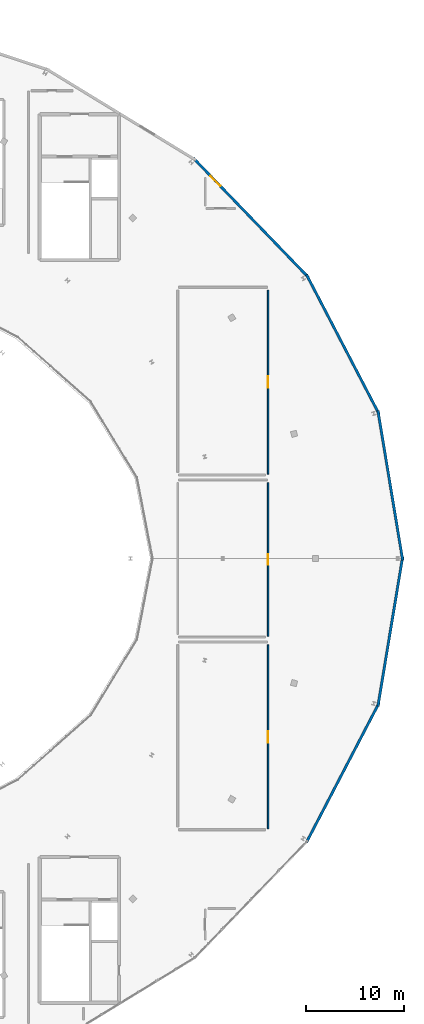
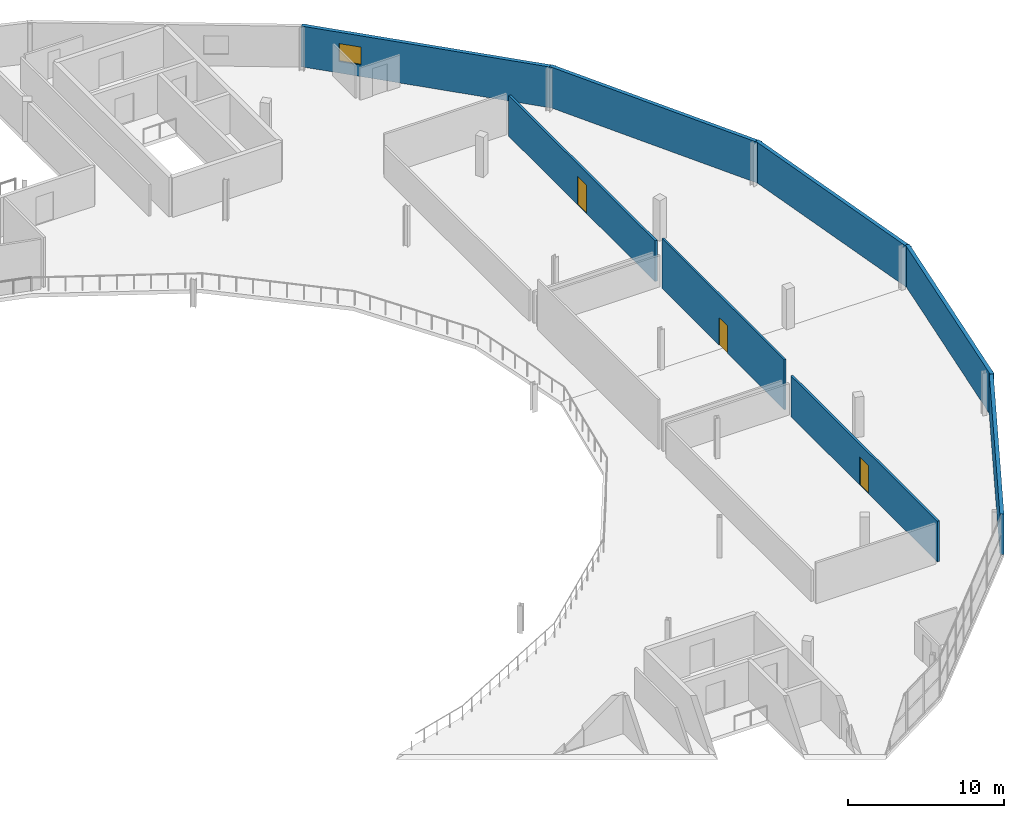
# One storey, part 33 of 35: 8 walls, 3 doors, 1 window, 4 openings.
"""IFC4 building model written with IfcOpenShell, lengths in metres."""

from ifc_helpers import new_model, si_unit, direction, frame, frame_2d, origin, place, context, subcontext, project, spatial, rectangle, extrude, material, layer, layer_set, type_object, element, fill, save


model = new_model("IFC4")

# Units and contexts
model_context = context("Model", 3, precision=1e-05, world=origin(), true_north=direction((0.0, 1.0)))
body_context = subcontext(model_context, "Body", "Model", "MODEL_VIEW")
ifc_project = project(units=[si_unit("LENGTHUNIT", "METRE"), si_unit("AREAUNIT", "SQUARE_METRE"), si_unit("VOLUMEUNIT", "CUBIC_METRE"), si_unit("PLANEANGLEUNIT", "RADIAN"), si_unit("MASSUNIT", "GRAM", prefix="KILO")], contexts=[model_context])

# Site, building, storey
site_placement = place(None, origin())
site = spatial("IfcSite", under=ifc_project, at=site_placement, CompositionType="ELEMENT")
building_placement = place(site_placement, origin())
building = spatial("IfcBuilding", under=site, at=building_placement, Name="Kalgoora Escarpment Arena", CompositionType="ELEMENT")
storey_placement = place(building_placement, frame((0.0, 0.0, 23.39990234375)))
storey = spatial("IfcBuildingStorey", under=building, at=storey_placement, Name="L05", CompositionType="ELEMENT", Elevation=23.39990234375)

# Wall, opening, window
ifc_material_1 = material(Name="Media ring insulated acoustic facade wall 40 MPa", Category="concrete")
ifc_layer_1 = layer(ifc_material_1, 0.264892578125)
ifc_layer_set_1 = layer_set([ifc_layer_1], Name="WAL-EXT-265")
wall_type_1 = type_object("IfcWallType", Name="WAL-EXT-265", PredefinedType="SOLIDWALL", material=ifc_layer_set_1)
wall_1_placement = place(storey_placement, frame((143.392333984375, 104.748046875, 0.0), z_axis=(0.0, 0.0, 1.0), x_axis=(0.694213985366, -0.719768672924, 0.0)))
wall_1 = element("IfcWall", 1, at=wall_1_placement, inside=storey, type_object=wall_type_1, Name="L05 limestone-faced external wall 100", PredefinedType="SOLIDWALL", context=body_context, shape_type="SweptSolid", body=[
    extrude(rectangle(XDim=16.88134765625, YDim=0.264892578125, at=frame_2d((8.440673828125, 0.0))), origin(), (0.0, 0.0, 1.0), 3.18017578125),
])
opening_1_placement = place(wall_1_placement, frame((2.52490234375, 0.0, 0.89990234375)))
opening_1 = element("IfcOpeningElement", 2, at=opening_1_placement, cuts=wall_1, Name="Opening W-20", PredefinedType="OPENING", context=body_context, shape_type="SweptSolid", body=[
    extrude(rectangle(XDim=1.449951171875, YDim=1.39990234375, at=frame_2d((0.72509765625, 0.699951171875))), frame((0.0, 0.142333984375, 0.0), z_axis=(0.0, -1.0, 0.0), x_axis=(1.0, 0.0, 0.0)), (0.0, 0.0, 1.0), 0.284912109375),
])
ifc_material_2 = material(Name="Low-E solar-control double glazing in champagne frame", Category="glass")
window_type = type_object("IfcWindowType", Name="WIN-BOH-1450x1400", PartitioningType="SINGLE_PANEL", PredefinedType="WINDOW", material=ifc_material_2)
window_placement = place(opening_1_placement, origin())
window = element("IfcWindow", 3, at=window_placement, inside=storey, type_object=window_type, Name="L05 scheduled facade window 160", OverallHeight=1.39990234375, OverallWidth=1.449951171875, PartitioningType="SINGLE_PANEL", PredefinedType="WINDOW", context=body_context, shape_type="SweptSolid", body=[
    extrude(rectangle(XDim=1.449951171875, YDim=1.39990234375, at=frame_2d((0.72509765625, 0.699951171875))), frame((0.0, 0.030029296875, 0.0), z_axis=(0.0, -1.0, 0.0), x_axis=(1.0, 0.0, 0.0)), (0.0, 0.0, 1.0), 0.06005859375),
])
fill(opening_1, window)

# Walls
wall_2_placement = place(storey_placement, frame((154.91162109375, 92.875, 0.0), z_axis=(0.0, 0.0, 1.0), x_axis=(0.461817664979, -0.886974883699, 0.0)))
element("IfcWall", 4, at=wall_2_placement, inside=storey, type_object=wall_type_1, Name="L05 limestone-faced external wall 101", PredefinedType="SOLIDWALL", context=body_context, shape_type="SweptSolid", body=[
    extrude(rectangle(XDim=15.969482421875, YDim=0.264892578125, at=frame_2d((7.98486328125, 0.0))), origin(), (0.0, 0.0, 1.0), 3.18017578125),
])
for number, where, z_axis, x_axis, name in (
    (5, (162.17724609375, 79.0380859375, 0.0), (0.0, 0.0, 1.0), (0.163253657255, -0.986584128898, 0.0), "L05 limestone-faced external wall 102"),
    (6, (164.6943359375, 64.17333984375, 0.0), (0.0, 0.0, 1.0), (-0.163253657255, -0.986584128898, 0.0), "L05 limestone-faced external wall 103"),
):
    element("IfcWall", number, at=place(storey_placement, frame(where, z_axis=z_axis, x_axis=x_axis)), inside=storey, type_object=wall_type_1, Name=name, PredefinedType="SOLIDWALL", context=body_context, shape_type="SweptSolid", body=[
        extrude(rectangle(XDim=15.418212890625, YDim=0.264892578125, at=frame_2d((7.708984375, 0.0))), origin(), (0.0, 0.0, 1.0), 3.18017578125),
    ])
wall_3_placement = place(storey_placement, frame((162.28662109375, 49.28955078125, 0.0), z_axis=(0.0, 0.0, 1.0), x_axis=(-0.461817664979, -0.886974883699, 0.0)))
element("IfcWall", 7, at=wall_3_placement, inside=storey, type_object=wall_type_1, Name="L05 limestone-faced external wall 104", PredefinedType="SOLIDWALL", context=body_context, shape_type="SweptSolid", body=[
    extrude(rectangle(XDim=15.969482421875, YDim=0.264892578125, at=frame_2d((7.98486328125, 0.0))), origin(), (0.0, 0.0, 1.0), 3.18017578125),
])

# Wall, opening, door
ifc_material_3 = material(Name="Broadcast acoustic double-stud partition", Category="gypsum")
ifc_layer_2 = layer(ifc_material_3, 0.1650390625)
ifc_layer_set_2 = layer_set([ifc_layer_2], Name="WAL-MED-165")
wall_type_2 = type_object("IfcWallType", Name="WAL-MED-165", PredefinedType="PARTITIONING", material=ifc_layer_set_2)
wall_4_placement = place(storey_placement, frame((151.0, 91.315185546875, 0.0), z_axis=(0.0, 0.0, 1.0), x_axis=(0.0, -1.0, 0.0)))
wall_4 = element("IfcWall", 8, at=wall_4_placement, inside=storey, type_object=wall_type_2, Name="L05 Radio Press Tribune Lounge partition wall", PredefinedType="PARTITIONING", context=body_context, shape_type="SweptSolid", body=[
    extrude(rectangle(XDim=18.735107421875, YDim=0.1650390625, at=frame_2d((9.36767578125, 0.0))), origin(), (0.0, 0.0, 1.0), 3.18017578125),
])
opening_2_placement = place(wall_4_placement, frame((8.79248046875, 0.0, 0.0)))
opening_2 = element("IfcOpeningElement", 9, at=opening_2_placement, cuts=wall_4, Name="Opening FD-I156", PredefinedType="OPENING", context=body_context, shape_type="SweptSolid", body=[
    extrude(rectangle(XDim=1.14990234375, YDim=2.199951171875, at=frame_2d((0.574951171875, 1.10009765625))), frame((0.0, 0.092529296875, 0.0), z_axis=(0.0, -1.0, 0.0), x_axis=(1.0, 0.0, 0.0)), (0.0, 0.0, 1.0), 0.18505859375),
])
ifc_material_4 = material(Name="Acoustic seal commentary suite leaf")
door_type_1 = type_object("IfcDoorType", Name="DR-MED-1150", OperationType="NOTDEFINED", PredefinedType="DOOR", material=ifc_material_4)
door_1_placement = place(opening_2_placement, origin())
door_1 = element("IfcDoor", 10, at=door_1_placement, inside=storey, type_object=door_type_1, Name="Radio Press Tribune Lounge entrance door", OperationType="SINGLE_SWING_RIGHT", OverallHeight=2.199951171875, OverallWidth=1.14990234375, PredefinedType="DOOR", context=body_context, shape_type="SweptSolid", body=[
    extrude(rectangle(XDim=1.14990234375, YDim=2.199951171875, at=frame_2d((0.574951171875, 1.10009765625))), frame((0.0, 0.02490234375, 0.0), z_axis=(0.0, -1.0, 0.0), x_axis=(1.0, 0.0, 0.0)), (0.0, 0.0, 1.0), 0.050048828125),
])
fill(opening_2, door_1)

wall_5_placement = place(storey_placement, frame((151.0, 55.215087890625, 0.0), z_axis=(0.0, 0.0, 1.0), x_axis=(0.0, -1.0, 0.0)))
wall_5 = element("IfcWall", 11, at=wall_5_placement, inside=storey, type_object=wall_type_2, Name="L05 Photographers Editing Room partition wall", PredefinedType="PARTITIONING", context=body_context, shape_type="SweptSolid", body=[
    extrude(rectangle(XDim=18.735107421875, YDim=0.1650390625, at=frame_2d((9.36767578125, 0.0))), origin(), (0.0, 0.0, 1.0), 3.18017578125),
])
opening_3_placement = place(wall_5_placement, frame((8.79248046875, 0.0, 0.0)))
opening_3 = element("IfcOpeningElement", 12, at=opening_3_placement, cuts=wall_5, Name="Opening FD-I159", PredefinedType="OPENING", context=body_context, shape_type="SweptSolid", body=[
    extrude(rectangle(XDim=1.14990234375, YDim=2.199951171875, at=frame_2d((0.574951171875, 1.10009765625))), frame((0.0, 0.092529296875, 0.0), z_axis=(0.0, -1.0, 0.0), x_axis=(1.0, 0.0, 0.0)), (0.0, 0.0, 1.0), 0.18505859375),
])
door_2_placement = place(opening_3_placement, origin())
door_2 = element("IfcDoor", 13, at=door_2_placement, inside=storey, type_object=door_type_1, Name="Photographers Editing Room entrance door", OperationType="SINGLE_SWING_LEFT", OverallHeight=2.199951171875, OverallWidth=1.14990234375, PredefinedType="DOOR", context=body_context, shape_type="SweptSolid", body=[
    extrude(rectangle(XDim=1.14990234375, YDim=2.199951171875, at=frame_2d((0.574951171875, 1.10009765625))), frame((0.0, 0.02490234375, 0.0), z_axis=(0.0, -1.0, 0.0), x_axis=(1.0, 0.0, 0.0)), (0.0, 0.0, 1.0), 0.050048828125),
])
fill(opening_3, door_2)

ifc_material_5 = material(Name="Insulated steel-stud acoustic partition", Category="steel")
ifc_layer_3 = layer(ifc_material_5, 0.14501953125)
ifc_layer_set_3 = layer_set([ifc_layer_3], Name="WAL-ROOM-145")
wall_type_3 = type_object("IfcWallType", Name="WAL-ROOM-145", PredefinedType="PARTITIONING", material=ifc_layer_set_3)
wall_6_placement = place(storey_placement, frame((151.0, 71.715087890625, 0.0), z_axis=(0.0, 0.0, 1.0), x_axis=(0.0, -1.0, 0.0)))
wall_6 = element("IfcWall", 14, at=wall_6_placement, inside=storey, type_object=wall_type_3, Name="L05 Broadcast Rack Server Room partition wall", PredefinedType="PARTITIONING", context=body_context, shape_type="SweptSolid", body=[
    extrude(rectangle(XDim=15.635009765625, YDim=0.14501953125, at=frame_2d((7.8173828125, 0.0))), origin(), (0.0, 0.0, 1.0), 3.900146484375),
])
opening_4_placement = place(wall_6_placement, frame((7.277587890625, 0.0, 0.0)))
opening_4 = element("IfcOpeningElement", 15, at=opening_4_placement, cuts=wall_6, Name="Opening FD-I176", PredefinedType="OPENING", context=body_context, shape_type="SweptSolid", body=[
    extrude(rectangle(XDim=1.080078125, YDim=2.14990234375, at=frame_2d((0.5400390625, 1.074951171875))), frame((0.0, 0.08251953125, 0.0), z_axis=(0.0, -1.0, 0.0), x_axis=(1.0, 0.0, 0.0)), (0.0, 0.0, 1.0), 0.1650390625),
])
ifc_material_6 = material(Name="Solid-core acoustic timber door", Category="wood")
door_type_2 = type_object("IfcDoorType", Name="DR-GEN-1080", OperationType="NOTDEFINED", PredefinedType="DOOR", material=ifc_material_6)
door_3_placement = place(opening_4_placement, origin())
door_3 = element("IfcDoor", 16, at=door_3_placement, inside=storey, type_object=door_type_2, Name="Broadcast Rack Server Room entrance door", OperationType="SINGLE_SWING_RIGHT", OverallHeight=2.14990234375, OverallWidth=1.080078125, PredefinedType="DOOR", context=body_context, shape_type="SweptSolid", body=[
    extrude(rectangle(XDim=1.080078125, YDim=2.14990234375, at=frame_2d((0.5400390625, 1.074951171875))), frame((0.0, 0.02490234375, 0.0), z_axis=(0.0, -1.0, 0.0), x_axis=(1.0, 0.0, 0.0)), (0.0, 0.0, 1.0), 0.050048828125),
])
fill(opening_4, door_3)

save(model, "model.ifc")
